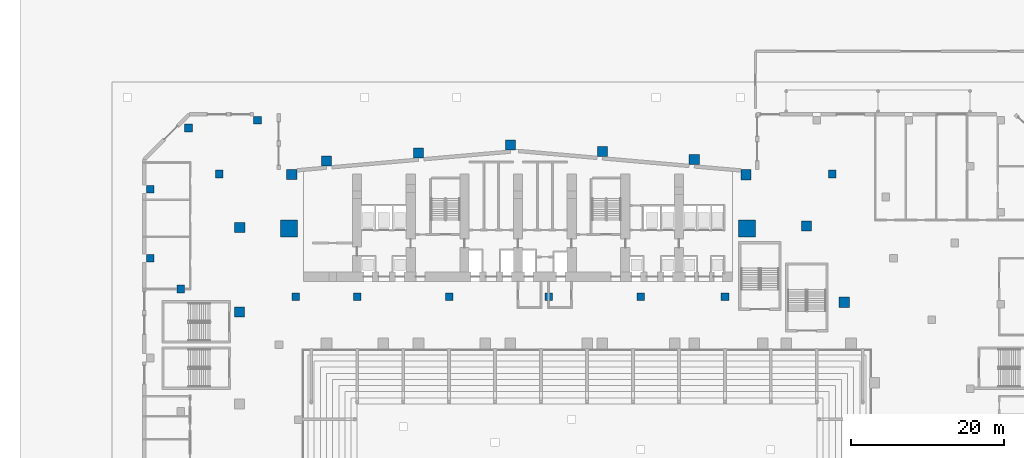
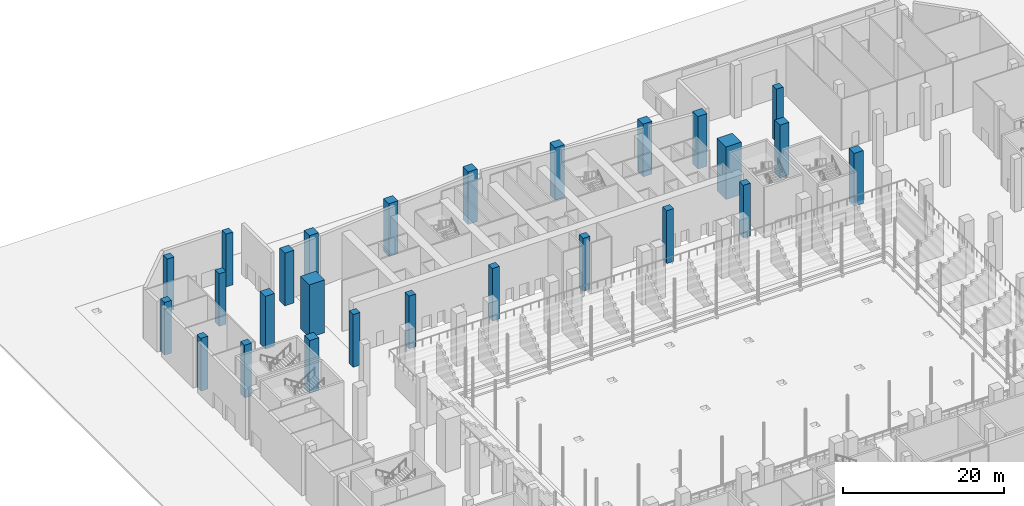
# One storey, part 12 of 41: 26 columns.
"""IFC4 building model written with IfcOpenShell, lengths in metres."""

from ifc_helpers import new_model, si_unit, direction, frame, origin, origin_2d, place, context, subcontext, project, spatial, rectangle, extrude, material, material_profile, profile_set, type_object, element, save


model = new_model("IFC4")

# Units and contexts
model_context = context("Model", 3, precision=1e-05, world=origin(), true_north=direction((0.0, 1.0)))
body_context = subcontext(model_context, "Body", "Model", "MODEL_VIEW")
ifc_project = project(units=[si_unit("LENGTHUNIT", "METRE"), si_unit("AREAUNIT", "SQUARE_METRE"), si_unit("VOLUMEUNIT", "CUBIC_METRE"), si_unit("PLANEANGLEUNIT", "RADIAN"), si_unit("MASSUNIT", "GRAM", prefix="KILO")], contexts=[model_context])

# Site, building, storey
site_placement = place(None, origin())
site = spatial("IfcSite", under=ifc_project, at=site_placement, CompositionType="ELEMENT")
building_placement = place(site_placement, origin())
building = spatial("IfcBuilding", under=site, at=building_placement, Name="Wharfspan Tower", CompositionType="ELEMENT")
storey_placement = place(building_placement, origin())
storey = spatial("IfcBuildingStorey", under=building, at=storey_placement, Name="L00", CompositionType="ELEMENT", Elevation=0.0)

# Columns
ifc_material = material(Name="Concrete C60/75", Category="concrete")
ifc_material_profile_1 = material_profile(ifc_material, rectangle(XDim=1.0, YDim=1.0, at=origin_2d()))
ifc_profile_set_1 = profile_set([ifc_material_profile_1], Name="Concrete C60/75")
column_type_1 = type_object("IfcColumnType", Name="Concrete column 1000 square", PredefinedType="COLUMN", material=ifc_profile_set_1)
for number, where, z_axis, x_axis, name in (
    (1, (-6.0, 54.0, 0.0), (0.0, 0.0, 1.0), (1.0, 0.0, 0.0), "Column D.10"),
    (2, (-11.0, 37.0, 0.0), (0.0, 0.0, 1.0), (1.0, 0.0, 0.0), "Column D.16"),
    (3, (-11.0, 46.0, 0.0), (0.0, 0.0, 1.0), (1.0, 0.0, 0.0), "Column D.35"),
    (4, (41.0, 32.0, 0.0), (0.0, 0.0, 1.0), (1.0, 0.0, 0.0), "Column D.37"),
    (5, (53.0, 32.0, 0.0), (0.0, 0.0, 1.0), (1.0, 0.0, 0.0), "Column D.40"),
    (6, (3.0, 55.0, 0.0), (0.0, 0.0, 1.0), (1.0, 0.0, 0.0), "Column D.41"),
    (7, (28.0, 32.0, 0.0), (0.0, 0.0, 1.0), (1.0, 0.0, 0.0), "Column D.42"),
    (8, (64.0, 32.0, 0.0), (0.0, 0.0, 1.0), (1.0, 0.0, 0.0), "Column D.43"),
    (9, (16.0, 32.0, 0.0), (0.0, 0.0, 1.0), (1.0, 0.0, 0.0), "Column D.47"),
    (10, (8.0, 32.0, 0.0), (0.0, 0.0, 1.0), (1.0, 0.0, 0.0), "Column D.50"),
    (11, (78.0, 48.0, 0.0), (0.0, 0.0, 1.0), (1.0, 0.0, 0.0), "Column D.53"),
    (12, (-7.0, 33.0, 0.0), (0.0, 0.0, 1.0), (1.0, 0.0, 0.0), "Column D.55"),
    (13, (-2.0, 48.0, 0.0), (0.0, 0.0, 1.0), (1.0, 0.0, 0.0), "Column D.57"),
):
    element("IfcColumn", number, at=place(storey_placement, frame(where, z_axis=z_axis, x_axis=x_axis)), inside=storey, type_object=column_type_1, Name=name, PredefinedType="COLUMN", context=body_context, shape_type="SweptSolid", body=[
        extrude(rectangle(XDim=1.0, YDim=1.0, at=origin_2d()), origin(), (0.0, 0.0, 1.0), 8.0),
    ])
ifc_material_profile_2 = material_profile(ifc_material, rectangle(XDim=1.320068, YDim=1.320068, at=origin_2d()))
ifc_profile_set_2 = profile_set([ifc_material_profile_2], Name="Concrete C60/75")
column_type_2 = type_object("IfcColumnType", Name="Concrete column 1320 square", PredefinedType="COLUMN", material=ifc_profile_set_2)
for number, where, z_axis, x_axis, name in (
    (14, (79.56958, 31.268311, 0.0), (0.0, 0.0, 1.0), (1.0, 0.0, 0.0), "Column T.PE.3"),
    (15, (74.634277, 41.196289, 0.0), (0.0, 0.0, 1.0), (1.0, 0.0, 0.0), "Column T.PE.4"),
    (16, (66.747803, 47.915283, 0.0), (0.0, 0.0, 1.0), (1.0, 0.0, 0.0), "Column T.PNRE-V.1"),
    (17, (7.466553, 47.933594, 0.0), (0.0, 0.0, 1.0), (1.0, 0.0, 0.0), "Column T.PNRW-V.1"),
    (18, (0.684814, 41.03418, 0.0), (0.0, 0.0, 1.0), (1.0, 0.0, 0.0), "Column T.PNRW-H.1"),
    (19, (0.659912, 30.0, 0.0), (0.0, 0.0, 1.0), (1.0, 0.0, 0.0), "Column T.PW.1"),
    (20, (12.0, 49.709961, 0.0), (0.0, 0.0, 1.0), (1.0, 0.0, 0.0), "Column T.R.1"),
    (21, (24.0, 50.759766, 0.0), (0.0, 0.0, 1.0), (1.0, 0.0, 0.0), "Column T.R.2"),
    (22, (36.0, 51.80957, 0.0), (0.0, 0.0, 1.0), (1.0, 0.0, 0.0), "Column T.R.3"),
    (23, (48.0, 50.934814, 0.0), (0.0, 0.0, 1.0), (1.0, 0.0, 0.0), "Column T.R.4"),
    (24, (60.0, 49.884766, 0.0), (0.0, 0.0, 1.0), (1.0, 0.0, 0.0), "Column T.R.5"),
):
    element("IfcColumn", number, at=place(storey_placement, frame(where, z_axis=z_axis, x_axis=x_axis)), inside=storey, type_object=column_type_2, Name=name, PredefinedType="COLUMN", context=body_context, shape_type="SweptSolid", body=[
        extrude(rectangle(XDim=1.320068, YDim=1.320068, at=origin_2d()), origin(), (0.0, 0.0, 1.0), 8.0),
    ])
ifc_material_profile_3 = material_profile(ifc_material, rectangle(XDim=2.199951, YDim=2.199951, at=origin_2d()))
ifc_profile_set_3 = profile_set([ifc_material_profile_3], Name="Concrete C60/75")
column_type_3 = type_object("IfcColumnType", Name="Concrete column 2200 square", PredefinedType="COLUMN", material=ifc_profile_set_3)
for number, where, z_axis, x_axis, name in (
    (25, (7.100098, 40.899902, 0.0), (0.0, 0.0, 1.0), (1.0, 0.0, 0.0), "Column T.MC2"),
    (26, (66.899902, 40.899902, 0.0), (0.0, 0.0, 1.0), (1.0, 0.0, 0.0), "Column T.MC3"),
):
    element("IfcColumn", number, at=place(storey_placement, frame(where, z_axis=z_axis, x_axis=x_axis)), inside=storey, type_object=column_type_3, Name=name, PredefinedType="COLUMN", context=body_context, shape_type="SweptSolid", body=[
        extrude(rectangle(XDim=2.199951, YDim=2.199951, at=origin_2d()), origin(), (0.0, 0.0, 1.0), 8.0),
    ])

save(model, "model.ifc")
